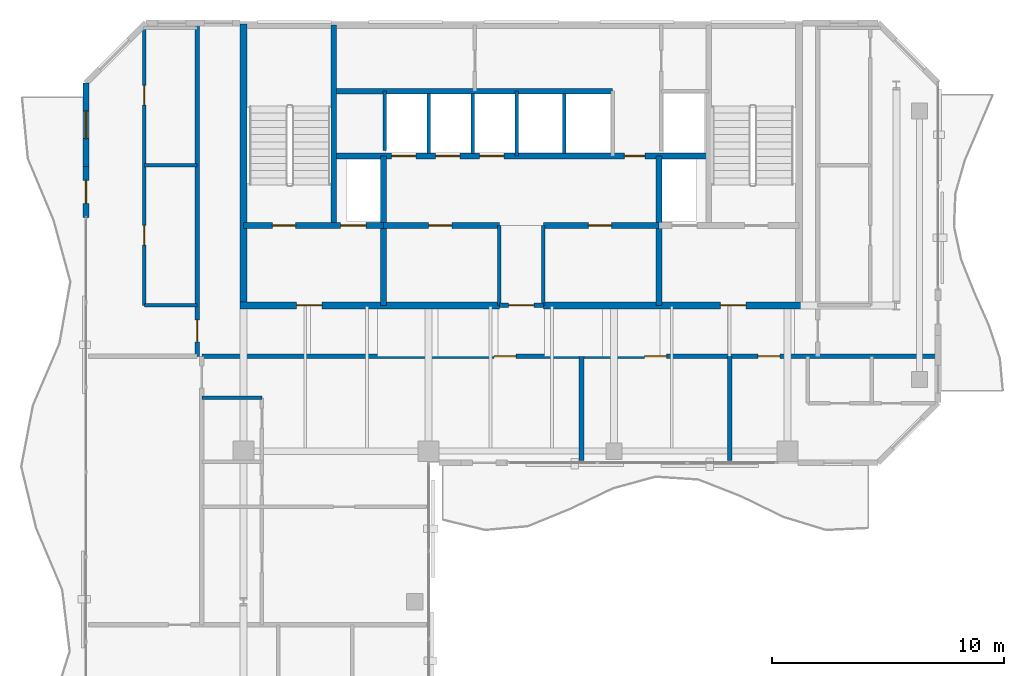
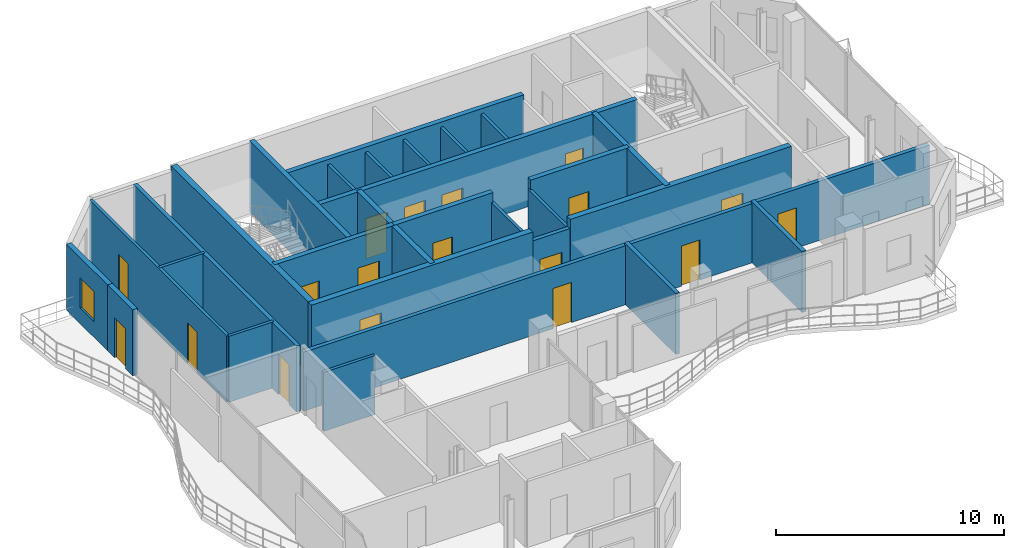
# One storey, part 13 of 17: 29 walls, 18 doors, 1 window, 19 openings.
"""IFC4 building model written with IfcOpenShell, lengths in metres."""

from ifc_helpers import new_model, si_unit, direction, frame, frame_2d, origin, place, context, subcontext, project, spatial, rectangle, extrude, material, layer, layer_set, type_object, element, fill, save


model = new_model("IFC4")

# Units and contexts
model_context = context("Model", 3, precision=1e-05, world=origin(), true_north=direction((0.0, 1.0)))
body_context = subcontext(model_context, "Body", "Model", "MODEL_VIEW")
ifc_project = project(units=[si_unit("LENGTHUNIT", "METRE"), si_unit("AREAUNIT", "SQUARE_METRE"), si_unit("VOLUMEUNIT", "CUBIC_METRE"), si_unit("PLANEANGLEUNIT", "RADIAN"), si_unit("MASSUNIT", "GRAM", prefix="KILO")], contexts=[model_context])

# Site, building, storey
site_placement = place(None, origin())
site = spatial("IfcSite", under=ifc_project, at=site_placement, CompositionType="ELEMENT")
building_placement = place(site_placement, origin())
building = spatial("IfcBuilding", under=site, at=building_placement, Name="Catumbela Crestline Tower", CompositionType="ELEMENT")
storey_placement = place(building_placement, frame((0.0, 0.0, 279.2)))
storey = spatial("IfcBuildingStorey", under=building, at=storey_placement, Name="L72", CompositionType="ELEMENT", Elevation=279.2)

# Walls
ifc_material_1 = material(Name="Concrete C50/60", Category="concrete")
ifc_layer_1 = layer(ifc_material_1, 0.25, Name="Concrete C50/60")
ifc_layer_set_1 = layer_set([ifc_layer_1], Name="Concrete C50/60")
wall_type_1 = type_object("IfcWallType", Name="CW-250D", PredefinedType="SHEAR", material=ifc_layer_set_1)
wall_1_placement = place(storey_placement, frame((19.9, 34.25, 0.0), z_axis=(0.0, 0.0, 1.0), x_axis=(0.0, 1.0, 0.0)))
element("IfcWall", 1, at=wall_1_placement, inside=storey, type_object=wall_type_1, Name="L72 Structural Core Shear Wall WWEB", PredefinedType="SHEAR", context=body_context, shape_type="SweptSolid", body=[
    extrude(rectangle(XDim=8.65, YDim=0.25, at=frame_2d((4.325, 0.0))), origin(), (0.0, 0.0, 1.0), 3.8),
])
for number, where, z_axis, x_axis, name in (
    (2, (22.05, 30.8, 0.0), (0.0, 0.0, 1.0), (0.0, 1.0, 0.0), "L72 Structural Core Shear Wall FFW"),
    (3, (33.95, 30.8, 0.0), (0.0, 0.0, 1.0), (0.0, 1.0, 0.0), "L72 Structural Core Shear Wall FFE"),
):
    element("IfcWall", number, at=place(storey_placement, frame(where, z_axis=z_axis, x_axis=x_axis)), inside=storey, type_object=wall_type_1, Name=name, PredefinedType="SHEAR", context=body_context, shape_type="SweptSolid", body=[
        extrude(rectangle(XDim=6.45, YDim=0.25, at=frame_2d((3.225, 0.0))), origin(), (0.0, 0.0, 1.0), 3.8),
    ])

# Wall, openings, doors
wall_2_placement = place(storey_placement, frame((16.0, 34.25, 0.0), z_axis=(0.0, 0.0, 1.0), x_axis=(1.0, 0.0, 0.0)))
wall_2 = element("IfcWall", 4, at=wall_2_placement, inside=storey, type_object=wall_type_1, Name="L72 Structural Core Shear Wall ST1S", PredefinedType="SHEAR", context=body_context, shape_type="SweptSolid", body=[
    extrude(rectangle(XDim=6.05, YDim=0.25, at=frame_2d((3.025, 0.0))), origin(), (0.0, 0.0, 1.0), 3.8),
])
opening_1_placement = place(wall_2_placement, frame((1.25, 0.0, 0.0)))
opening_1 = element("IfcOpeningElement", 5, at=opening_1_placement, cuts=wall_2, Name="Opening DF9-100", PredefinedType="OPENING", context=body_context, shape_type="SweptSolid", body=[
    extrude(rectangle(XDim=1.0, YDim=2.15, at=frame_2d((0.5, 1.075))), frame((0.0, 0.135, 0.0), z_axis=(0.0, -1.0, 0.0), x_axis=(1.0, 0.0, 0.0)), (0.0, 0.0, 1.0), 0.27),
])
opening_2_placement = place(wall_2_placement, frame((4.2, 0.0, 0.0)))
opening_2 = element("IfcOpeningElement", 6, at=opening_2_placement, cuts=wall_2, Name="Opening LD-110", PredefinedType="OPENING", context=body_context, shape_type="SweptSolid", body=[
    extrude(rectangle(XDim=1.1, YDim=2.15, at=frame_2d((0.55, 1.075))), frame((0.0, 0.135, 0.0), z_axis=(0.0, -1.0, 0.0), x_axis=(1.0, 0.0, 0.0)), (0.0, 0.0, 1.0), 0.27),
])
ifc_material_2 = material(Name="Stainless steel EN 1.4401", Category="steel")
door_type_1 = type_object("IfcDoorType", Name="DF9-100", OperationType="NOTDEFINED", PredefinedType="DOOR", material=ifc_material_2)
door_1_placement = place(opening_1_placement, origin())
door_1 = element("IfcDoor", 7, at=door_1_placement, inside=storey, type_object=door_type_1, Name="L72 Interior Door DR-L72-ST01", OperationType="SINGLE_SWING_LEFT", OverallHeight=2.15, OverallWidth=1.0, PredefinedType="DOOR", context=body_context, shape_type="SweptSolid", body=[
    extrude(rectangle(XDim=1.0, YDim=2.15, at=frame_2d((0.5, 1.075))), frame((0.0, 0.025, 0.0), z_axis=(0.0, -1.0, 0.0), x_axis=(1.0, 0.0, 0.0)), (0.0, 0.0, 1.0), 0.05),
])
fill(opening_1, door_1)
door_type_2 = type_object("IfcDoorType", Name="LD-110", OperationType="NOTDEFINED", PredefinedType="DOOR", material=ifc_material_2)
door_2_placement = place(opening_2_placement, origin())
door_2 = element("IfcDoor", 8, at=door_2_placement, inside=storey, type_object=door_type_2, Name="L72 Lift Landing Sliding Door FL-01", OperationType="DOUBLE_DOOR_SLIDING", OverallHeight=2.15, OverallWidth=1.1, PredefinedType="DOOR", context=body_context, shape_type="SweptSolid", body=[
    extrude(rectangle(XDim=1.1, YDim=2.15, at=frame_2d((0.55, 1.075))), frame((0.0, 0.025, 0.0), z_axis=(0.0, -1.0, 0.0), x_axis=(1.0, 0.0, 0.0)), (0.0, 0.0, 1.0), 0.05),
])
fill(opening_2, door_2)

# Wall, opening, door
wall_3_placement = place(storey_placement, frame((22.05, 34.25, 0.0), z_axis=(0.0, 0.0, 1.0), x_axis=(1.0, 0.0, 0.0)))
wall_3 = element("IfcWall", 9, at=wall_3_placement, inside=storey, type_object=wall_type_1, Name="L72 Structural Core Shear Wall LIFTS-W", PredefinedType="SHEAR", context=body_context, shape_type="SweptSolid", body=[
    extrude(rectangle(XDim=5.0, YDim=0.25, at=frame_2d((2.5, 0.0))), origin(), (0.0, 0.0, 1.0), 3.8),
])
opening_3_placement = place(wall_3_placement, frame((1.95, 0.0, 0.0)))
opening_3 = element("IfcOpeningElement", 10, at=opening_3_placement, cuts=wall_3, Name="Opening DF9-100", PredefinedType="OPENING", context=body_context, shape_type="SweptSolid", body=[
    extrude(rectangle(XDim=1.0, YDim=2.15, at=frame_2d((0.5, 1.075))), frame((0.0, 0.135, 0.0), z_axis=(0.0, -1.0, 0.0), x_axis=(1.0, 0.0, 0.0)), (0.0, 0.0, 1.0), 0.27),
])
door_3_placement = place(opening_3_placement, origin())
door_3 = element("IfcDoor", 11, at=door_3_placement, inside=storey, type_object=door_type_1, Name="L72 Interior Door DR-L72-RECL1", OperationType="SINGLE_SWING_LEFT", OverallHeight=2.15, OverallWidth=1.0, PredefinedType="DOOR", context=body_context, shape_type="SweptSolid", body=[
    extrude(rectangle(XDim=1.0, YDim=2.15, at=frame_2d((0.5, 1.075))), frame((0.0, 0.025, 0.0), z_axis=(0.0, -1.0, 0.0), x_axis=(1.0, 0.0, 0.0)), (0.0, 0.0, 1.0), 0.05),
])
fill(opening_3, door_3)

wall_4_placement = place(storey_placement, frame((28.95, 34.25, 0.0), z_axis=(0.0, 0.0, 1.0), x_axis=(1.0, 0.0, 0.0)))
wall_4 = element("IfcWall", 12, at=wall_4_placement, inside=storey, type_object=wall_type_1, Name="L72 Structural Core Shear Wall LIFTS-E", PredefinedType="SHEAR", context=body_context, shape_type="SweptSolid", body=[
    extrude(rectangle(XDim=5.0, YDim=0.25, at=frame_2d((2.5, 0.0))), origin(), (0.0, 0.0, 1.0), 3.8),
])
opening_4_placement = place(wall_4_placement, frame((1.95, 0.0, 0.0)))
opening_4 = element("IfcOpeningElement", 13, at=opening_4_placement, cuts=wall_4, Name="Opening DF9-100", PredefinedType="OPENING", context=body_context, shape_type="SweptSolid", body=[
    extrude(rectangle(XDim=1.0, YDim=2.15, at=frame_2d((0.5, 1.075))), frame((0.0, 0.135, 0.0), z_axis=(0.0, -1.0, 0.0), x_axis=(1.0, 0.0, 0.0)), (0.0, 0.0, 1.0), 0.27),
])
door_4_placement = place(opening_4_placement, origin())
door_4 = element("IfcDoor", 14, at=door_4_placement, inside=storey, type_object=door_type_1, Name="L72 Interior Door DR-L72-RECL2", OperationType="SINGLE_SWING_RIGHT", OverallHeight=2.15, OverallWidth=1.0, PredefinedType="DOOR", context=body_context, shape_type="SweptSolid", body=[
    extrude(rectangle(XDim=1.0, YDim=2.15, at=frame_2d((0.5, 1.075))), frame((0.0, 0.025, 0.0), z_axis=(0.0, -1.0, 0.0), x_axis=(1.0, 0.0, 0.0)), (0.0, 0.0, 1.0), 0.05),
])
fill(opening_4, door_4)

# Wall, openings, doors
wall_5_placement = place(storey_placement, frame((19.9, 37.25, 0.0), z_axis=(0.0, 0.0, 1.0), x_axis=(1.0, 0.0, 0.0)))
wall_5 = element("IfcWall", 15, at=wall_5_placement, inside=storey, type_object=wall_type_1, Name="L72 Structural Core Shear Wall LIFTN", PredefinedType="SHEAR", context=body_context, shape_type="SweptSolid", body=[
    extrude(rectangle(XDim=16.2, YDim=0.25, at=frame_2d((8.1, 0.0))), origin(), (0.0, 0.0, 1.0), 3.8),
])
opening_5_placement = place(wall_5_placement, frame((12.55, 0.0, 0.0)))
opening_5 = element("IfcOpeningElement", 16, at=opening_5_placement, cuts=wall_5, Name="Opening DF9-090", PredefinedType="OPENING", context=body_context, shape_type="SweptSolid", body=[
    extrude(rectangle(XDim=0.9, YDim=2.15, at=frame_2d((0.45, 1.075))), frame((0.0, 0.135, 0.0), z_axis=(0.0, -1.0, 0.0), x_axis=(1.0, 0.0, 0.0)), (0.0, 0.0, 1.0), 0.27),
])
opening_6_placement = place(wall_5_placement, frame((2.5, 0.0, 0.0)))
opening_6 = element("IfcOpeningElement", 17, at=opening_6_placement, cuts=wall_5, Name="Opening LD-105", PredefinedType="OPENING", context=body_context, shape_type="SweptSolid", body=[
    extrude(rectangle(XDim=1.05, YDim=2.15, at=frame_2d((0.525, 1.075))), frame((0.0, 0.135, 0.0), z_axis=(0.0, -1.0, 0.0), x_axis=(1.0, 0.0, 0.0)), (0.0, 0.0, 1.0), 0.27),
])
opening_7_placement = place(wall_5_placement, frame((4.4, 0.0, 0.0)))
opening_7 = element("IfcOpeningElement", 18, at=opening_7_placement, cuts=wall_5, Name="Opening LD-105", PredefinedType="OPENING", context=body_context, shape_type="SweptSolid", body=[
    extrude(rectangle(XDim=1.05, YDim=2.15, at=frame_2d((0.525, 1.075))), frame((0.0, 0.135, 0.0), z_axis=(0.0, -1.0, 0.0), x_axis=(1.0, 0.0, 0.0)), (0.0, 0.0, 1.0), 0.27),
])
opening_8_placement = place(wall_5_placement, frame((6.3, 0.0, 0.0)))
opening_8 = element("IfcOpeningElement", 19, at=opening_8_placement, cuts=wall_5, Name="Opening LD-105", PredefinedType="OPENING", context=body_context, shape_type="SweptSolid", body=[
    extrude(rectangle(XDim=1.05, YDim=2.15, at=frame_2d((0.525, 1.075))), frame((0.0, 0.135, 0.0), z_axis=(0.0, -1.0, 0.0), x_axis=(1.0, 0.0, 0.0)), (0.0, 0.0, 1.0), 0.27),
])
door_type_3 = type_object("IfcDoorType", Name="DF9-090", OperationType="NOTDEFINED", PredefinedType="DOOR", material=ifc_material_2)
door_5_placement = place(opening_5_placement, origin())
door_5 = element("IfcDoor", 20, at=door_5_placement, inside=storey, type_object=door_type_3, Name="L72 Interior Door DR-L72-CPAS1", OperationType="SINGLE_SWING_LEFT", OverallHeight=2.15, OverallWidth=0.9, PredefinedType="DOOR", context=body_context, shape_type="SweptSolid", body=[
    extrude(rectangle(XDim=0.9, YDim=2.15, at=frame_2d((0.45, 1.075))), frame((0.0, 0.025, 0.0), z_axis=(0.0, -1.0, 0.0), x_axis=(1.0, 0.0, 0.0)), (0.0, 0.0, 1.0), 0.05),
])
fill(opening_5, door_5)
door_type_4 = type_object("IfcDoorType", Name="LD-105", OperationType="NOTDEFINED", PredefinedType="DOOR", material=ifc_material_2)
door_6_placement = place(opening_6_placement, origin())
door_6 = element("IfcDoor", 21, at=door_6_placement, inside=storey, type_object=door_type_4, Name="L72 Lift Landing Sliding Door PL-H1", OperationType="DOUBLE_DOOR_SLIDING", OverallHeight=2.15, OverallWidth=1.05, PredefinedType="DOOR", context=body_context, shape_type="SweptSolid", body=[
    extrude(rectangle(XDim=1.05, YDim=2.15, at=frame_2d((0.525, 1.075))), frame((0.0, 0.025, 0.0), z_axis=(0.0, -1.0, 0.0), x_axis=(1.0, 0.0, 0.0)), (0.0, 0.0, 1.0), 0.05),
])
fill(opening_6, door_6)
door_7_placement = place(opening_7_placement, origin())
door_7 = element("IfcDoor", 22, at=door_7_placement, inside=storey, type_object=door_type_4, Name="L72 Lift Landing Sliding Door PL-H2", OperationType="DOUBLE_DOOR_SLIDING", OverallHeight=2.15, OverallWidth=1.05, PredefinedType="DOOR", context=body_context, shape_type="SweptSolid", body=[
    extrude(rectangle(XDim=1.05, YDim=2.15, at=frame_2d((0.525, 1.075))), frame((0.0, 0.025, 0.0), z_axis=(0.0, -1.0, 0.0), x_axis=(1.0, 0.0, 0.0)), (0.0, 0.0, 1.0), 0.05),
])
fill(opening_7, door_7)
door_8_placement = place(opening_8_placement, origin())
door_8 = element("IfcDoor", 23, at=door_8_placement, inside=storey, type_object=door_type_4, Name="L72 Lift Landing Sliding Door PL-H3", OperationType="DOUBLE_DOOR_SLIDING", OverallHeight=2.15, OverallWidth=1.05, PredefinedType="DOOR", context=body_context, shape_type="SweptSolid", body=[
    extrude(rectangle(XDim=1.05, YDim=2.15, at=frame_2d((0.525, 1.075))), frame((0.0, 0.025, 0.0), z_axis=(0.0, -1.0, 0.0), x_axis=(1.0, 0.0, 0.0)), (0.0, 0.0, 1.0), 0.05),
])
fill(opening_8, door_8)

# Walls
wall_6_placement = place(storey_placement, frame((19.9, 40.05, 0.0), z_axis=(0.0, 0.0, 1.0), x_axis=(1.0, 0.0, 0.0)))
element("IfcWall", 24, at=wall_6_placement, inside=storey, type_object=wall_type_1, Name="L72 Structural Core Shear Wall COREN", PredefinedType="SHEAR", context=body_context, shape_type="SweptSolid", body=[
    extrude(rectangle(XDim=12.05, YDim=0.25, at=frame_2d((6.025, 0.0))), origin(), (0.0, 0.0, 1.0), 3.8),
])
ifc_material_3 = material(Name="Concrete C45/55", Category="concrete")
ifc_layer_2 = layer(ifc_material_3, 0.3, Name="Concrete C45/55")
ifc_layer_set_2 = layer_set([ifc_layer_2], Name="Concrete C45/55")
wall_type_2 = type_object("IfcWallType", Name="CW-300C", PredefinedType="SHEAR", material=ifc_layer_set_2)
wall_7_placement = place(storey_placement, frame((16.0, 30.65, 0.0), z_axis=(0.0, 0.0, 1.0), x_axis=(0.0, 1.0, 0.0)))
element("IfcWall", 25, at=wall_7_placement, inside=storey, type_object=wall_type_2, Name="L72 Structural Core Shear Wall W", PredefinedType="SHEAR", context=body_context, shape_type="SweptSolid", body=[
    extrude(rectangle(XDim=12.3, YDim=0.3, at=frame_2d((6.15, 0.0))), origin(), (0.0, 0.0, 1.0), 3.8),
])

# Wall, opening, door
wall_8_placement = place(storey_placement, frame((15.85, 30.8, 0.0), z_axis=(0.0, 0.0, 1.0), x_axis=(1.0, 0.0, 0.0)))
wall_8 = element("IfcWall", 26, at=wall_8_placement, inside=storey, type_object=wall_type_2, Name="L72 Structural Core Shear Wall SW", PredefinedType="SHEAR", context=body_context, shape_type="SweptSolid", body=[
    extrude(rectangle(XDim=11.2, YDim=0.3, at=frame_2d((5.6, 0.0))), origin(), (0.0, 0.0, 1.0), 3.8),
])
opening_9_placement = place(wall_8_placement, frame((2.45, 0.0, 0.0)))
opening_9 = element("IfcOpeningElement", 27, at=opening_9_placement, cuts=wall_8, Name="Opening DF9-110", PredefinedType="OPENING", context=body_context, shape_type="SweptSolid", body=[
    extrude(rectangle(XDim=1.1, YDim=2.15, at=frame_2d((0.55, 1.075))), frame((0.0, 0.16, 0.0), z_axis=(0.0, -1.0, 0.0), x_axis=(1.0, 0.0, 0.0)), (0.0, 0.0, 1.0), 0.32),
])
door_type_5 = type_object("IfcDoorType", Name="DF9-110", OperationType="NOTDEFINED", PredefinedType="DOOR", material=ifc_material_2)
door_9_placement = place(opening_9_placement, origin())
door_9 = element("IfcDoor", 28, at=door_9_placement, inside=storey, type_object=door_type_5, Name="L72 Interior Door DR-L72-FFW-S", OperationType="SINGLE_SWING_LEFT", OverallHeight=2.15, OverallWidth=1.1, PredefinedType="DOOR", context=body_context, shape_type="SweptSolid", body=[
    extrude(rectangle(XDim=1.1, YDim=2.15, at=frame_2d((0.55, 1.075))), frame((0.0, 0.025, 0.0), z_axis=(0.0, -1.0, 0.0), x_axis=(1.0, 0.0, 0.0)), (0.0, 0.0, 1.0), 0.05),
])
fill(opening_9, door_9)

wall_9_placement = place(storey_placement, frame((28.95, 30.8, 0.0), z_axis=(0.0, 0.0, 1.0), x_axis=(1.0, 0.0, 0.0)))
wall_9 = element("IfcWall", 29, at=wall_9_placement, inside=storey, type_object=wall_type_2, Name="L72 Structural Core Shear Wall SE", PredefinedType="SHEAR", context=body_context, shape_type="SweptSolid", body=[
    extrude(rectangle(XDim=11.2, YDim=0.3, at=frame_2d((5.6, 0.0))), origin(), (0.0, 0.0, 1.0), 3.8),
])
opening_10_placement = place(wall_9_placement, frame((7.65, 0.0, 0.0)))
opening_10 = element("IfcOpeningElement", 30, at=opening_10_placement, cuts=wall_9, Name="Opening DF9-110", PredefinedType="OPENING", context=body_context, shape_type="SweptSolid", body=[
    extrude(rectangle(XDim=1.1, YDim=2.15, at=frame_2d((0.55, 1.075))), frame((0.0, 0.16, 0.0), z_axis=(0.0, -1.0, 0.0), x_axis=(1.0, 0.0, 0.0)), (0.0, 0.0, 1.0), 0.32),
])
door_10_placement = place(opening_10_placement, origin())
door_10 = element("IfcDoor", 31, at=door_10_placement, inside=storey, type_object=door_type_5, Name="L72 Interior Door DR-L72-FFE-S", OperationType="SINGLE_SWING_RIGHT", OverallHeight=2.15, OverallWidth=1.1, PredefinedType="DOOR", context=body_context, shape_type="SweptSolid", body=[
    extrude(rectangle(XDim=1.1, YDim=2.15, at=frame_2d((0.55, 1.075))), frame((0.0, 0.025, 0.0), z_axis=(0.0, -1.0, 0.0), x_axis=(1.0, 0.0, 0.0)), (0.0, 0.0, 1.0), 0.05),
])
fill(opening_10, door_10)

ifc_material_4 = material(Name="Acoustic gypsum and mineral-wool partition")
ifc_layer_3 = layer(ifc_material_4, 0.2, Name="Acoustic gypsum and mineral-wool partition")
ifc_layer_set_3 = layer_set([ifc_layer_3], Name="Acoustic gypsum and mineral-wool partition")
wall_type_3 = type_object("IfcWallType", Name="WC-200", PredefinedType="PARTITIONING", material=ifc_layer_set_3)
wall_10_placement = place(storey_placement, frame((27.05, 30.8, 0.0), z_axis=(0.0, 0.0, 1.0), x_axis=(1.0, 0.0, 0.0)))
wall_10 = element("IfcWall", 32, at=wall_10_placement, inside=storey, type_object=wall_type_3, Name="L72 Interior Partition PW-L72-CLOBS", PredefinedType="PARTITIONING", context=body_context, shape_type="SweptSolid", body=[
    extrude(rectangle(XDim=1.9, YDim=0.2, at=frame_2d((0.95, 0.0))), origin(), (0.0, 0.0, 1.0), 3.28),
])
opening_11_placement = place(wall_10_placement, frame((0.4, 0.0, 0.0)))
opening_11 = element("IfcOpeningElement", 33, at=opening_11_placement, cuts=wall_10, Name="Opening DF9-110", PredefinedType="OPENING", context=body_context, shape_type="SweptSolid", body=[
    extrude(rectangle(XDim=1.1, YDim=2.15, at=frame_2d((0.55, 1.075))), frame((0.0, 0.11, 0.0), z_axis=(0.0, -1.0, 0.0), x_axis=(1.0, 0.0, 0.0)), (0.0, 0.0, 1.0), 0.22),
])
door_11_placement = place(opening_11_placement, origin())
door_11 = element("IfcDoor", 34, at=door_11_placement, inside=storey, type_object=door_type_5, Name="L72 Interior Door DR-L72-CLOBS", OperationType="SINGLE_SWING_LEFT", OverallHeight=2.15, OverallWidth=1.1, PredefinedType="DOOR", context=body_context, shape_type="SweptSolid", body=[
    extrude(rectangle(XDim=1.1, YDim=2.15, at=frame_2d((0.55, 1.075))), frame((0.0, 0.025, 0.0), z_axis=(0.0, -1.0, 0.0), x_axis=(1.0, 0.0, 0.0)), (0.0, 0.0, 1.0), 0.05),
])
fill(opening_11, door_11)

# Wall, openings, doors
wall_11_placement = place(storey_placement, frame((14.2, 28.6, 0.0), z_axis=(0.0, 0.0, 1.0), x_axis=(1.0, 0.0, 0.0)))
wall_11 = element("IfcWall", 35, at=wall_11_placement, inside=storey, type_object=wall_type_3, Name="L72 Interior Partition PW-L72-RCWR", PredefinedType="PARTITIONING", context=body_context, shape_type="SweptSolid", body=[
    extrude(rectangle(XDim=31.7, YDim=0.2, at=frame_2d((15.85, 0.0))), origin(), (0.0, 0.0, 1.0), 3.16),
])
opening_12_placement = place(wall_11_placement, frame((12.625, 0.0, 0.0)))
opening_12 = element("IfcOpeningElement", 36, at=opening_12_placement, cuts=wall_11, Name="Opening DF6-095", PredefinedType="OPENING", context=body_context, shape_type="SweptSolid", body=[
    extrude(rectangle(XDim=0.95, YDim=2.15, at=frame_2d((0.475, 1.075))), frame((0.0, 0.11, 0.0), z_axis=(0.0, -1.0, 0.0), x_axis=(1.0, 0.0, 0.0)), (0.0, 0.0, 1.0), 0.22),
])
opening_13_placement = place(wall_11_placement, frame((19.125, 0.0, 0.0)))
opening_13 = element("IfcOpeningElement", 37, at=opening_13_placement, cuts=wall_11, Name="Opening DF6-095", PredefinedType="OPENING", context=body_context, shape_type="SweptSolid", body=[
    extrude(rectangle(XDim=0.95, YDim=2.15, at=frame_2d((0.475, 1.075))), frame((0.0, 0.11, 0.0), z_axis=(0.0, -1.0, 0.0), x_axis=(1.0, 0.0, 0.0)), (0.0, 0.0, 1.0), 0.22),
])
opening_14_placement = place(wall_11_placement, frame((24.016, 0.0, 0.0)))
opening_14 = element("IfcOpeningElement", 38, at=opening_14_placement, cuts=wall_11, Name="Opening DF6-095", PredefinedType="OPENING", context=body_context, shape_type="SweptSolid", body=[
    extrude(rectangle(XDim=0.95, YDim=2.15, at=frame_2d((0.475, 1.075))), frame((0.0, 0.11, 0.0), z_axis=(0.0, -1.0, 0.0), x_axis=(1.0, 0.0, 0.0)), (0.0, 0.0, 1.0), 0.22),
])
ifc_material_5 = material(Name="Aluminium alloy AW-6060-T66", Category="aluminium")
door_type_6 = type_object("IfcDoorType", Name="DF6-095", OperationType="NOTDEFINED", PredefinedType="DOOR", material=ifc_material_5)
door_12_placement = place(opening_12_placement, origin())
door_12 = element("IfcDoor", 39, at=door_12_placement, inside=storey, type_object=door_type_6, Name="L72 Interior Door DR-L72-Z4G51-ENT", OperationType="SINGLE_SWING_RIGHT", OverallHeight=2.15, OverallWidth=0.95, PredefinedType="DOOR", context=body_context, shape_type="SweptSolid", body=[
    extrude(rectangle(XDim=0.95, YDim=2.15, at=frame_2d((0.475, 1.075))), frame((0.0, 0.025, 0.0), z_axis=(0.0, -1.0, 0.0), x_axis=(1.0, 0.0, 0.0)), (0.0, 0.0, 1.0), 0.05),
])
fill(opening_12, door_12)
door_13_placement = place(opening_13_placement, origin())
door_13 = element("IfcDoor", 40, at=door_13_placement, inside=storey, type_object=door_type_6, Name="L72 Interior Door DR-L72-Z4G52-ENT", OperationType="SINGLE_SWING_LEFT", OverallHeight=2.15, OverallWidth=0.95, PredefinedType="DOOR", context=body_context, shape_type="SweptSolid", body=[
    extrude(rectangle(XDim=0.95, YDim=2.15, at=frame_2d((0.475, 1.075))), frame((0.0, 0.025, 0.0), z_axis=(0.0, -1.0, 0.0), x_axis=(1.0, 0.0, 0.0)), (0.0, 0.0, 1.0), 0.05),
])
fill(opening_13, door_13)
door_14_placement = place(opening_14_placement, origin())
door_14 = element("IfcDoor", 41, at=door_14_placement, inside=storey, type_object=door_type_6, Name="L72 Interior Door DR-L72-S3-ENT", OperationType="SINGLE_SWING_LEFT", OverallHeight=2.15, OverallWidth=0.95, PredefinedType="DOOR", context=body_context, shape_type="SweptSolid", body=[
    extrude(rectangle(XDim=0.95, YDim=2.15, at=frame_2d((0.475, 1.075))), frame((0.0, 0.025, 0.0), z_axis=(0.0, -1.0, 0.0), x_axis=(1.0, 0.0, 0.0)), (0.0, 0.0, 1.0), 0.05),
])
fill(opening_14, door_14)

# Wall, opening, door
wall_12_placement = place(storey_placement, frame((14.0, 28.6, 0.0), z_axis=(0.0, 0.0, 1.0), x_axis=(0.0, 1.0, 0.0)))
wall_12 = element("IfcWall", 42, at=wall_12_placement, inside=storey, type_object=wall_type_3, Name="L72 Interior Partition PW-L72-NW1-ENT", PredefinedType="PARTITIONING", context=body_context, shape_type="SweptSolid", body=[
    extrude(rectangle(XDim=14.3, YDim=0.2, at=frame_2d((7.15, 0.0))), origin(), (0.0, 0.0, 1.0), 3.53),
])
opening_15_placement = place(wall_12_placement, frame((0.625, 0.0, 0.0)))
opening_15 = element("IfcOpeningElement", 43, at=opening_15_placement, cuts=wall_12, Name="Opening DF6-095", PredefinedType="OPENING", context=body_context, shape_type="SweptSolid", body=[
    extrude(rectangle(XDim=0.95, YDim=2.15, at=frame_2d((0.475, 1.075))), frame((0.0, 0.11, 0.0), z_axis=(0.0, -1.0, 0.0), x_axis=(1.0, 0.0, 0.0)), (0.0, 0.0, 1.0), 0.22),
])
door_15_placement = place(opening_15_placement, origin())
door_15 = element("IfcDoor", 44, at=door_15_placement, inside=storey, type_object=door_type_6, Name="L72 Interior Door DR-L72-NW1-ENT", OperationType="SINGLE_SWING_LEFT", OverallHeight=2.15, OverallWidth=0.95, PredefinedType="DOOR", context=body_context, shape_type="SweptSolid", body=[
    extrude(rectangle(XDim=0.95, YDim=2.15, at=frame_2d((0.475, 1.075))), frame((0.0, 0.025, 0.0), z_axis=(0.0, -1.0, 0.0), x_axis=(1.0, 0.0, 0.0)), (0.0, 0.0, 1.0), 0.05),
])
fill(opening_15, door_15)

ifc_material_6 = material(Name="Angolan grey-ochre granite", Category="masonry")
ifc_layer_4 = layer(ifc_material_6, 0.25, Name="Angolan grey-ochre granite")
ifc_layer_set_4 = layer_set([ifc_layer_4], Name="Angolan grey-ochre granite")
wall_type_4 = type_object("IfcWallType", Name="WE-250", PredefinedType="STANDARD", material=ifc_layer_set_4)
wall_13_placement = place(storey_placement, frame((9.2, 36.8, 0.0), z_axis=(0.0, 0.0, 1.0), x_axis=(0.0, -1.0, 0.0)))
wall_13 = element("IfcWall", 45, at=wall_13_placement, inside=storey, type_object=wall_type_4, Name="L72 Exterior Threshold Portal Wall DR-L72-WBAL-4", PredefinedType="STANDARD", context=body_context, shape_type="SweptSolid", body=[
    extrude(rectangle(XDim=2.2, YDim=0.25, at=frame_2d((1.1, 0.0))), origin(), (0.0, 0.0, 1.0), 3.53),
])
opening_16_placement = place(wall_13_placement, frame((0.6, 0.0, 0.0)))
opening_16 = element("IfcOpeningElement", 46, at=opening_16_placement, cuts=wall_13, Name="Opening DB-L72-4", PredefinedType="OPENING", context=body_context, shape_type="SweptSolid", body=[
    extrude(rectangle(XDim=1.0, YDim=2.15, at=frame_2d((0.5, 1.075))), frame((0.0, 0.135, 0.0), z_axis=(0.0, -1.0, 0.0), x_axis=(1.0, 0.0, 0.0)), (0.0, 0.0, 1.0), 0.27),
])
door_type_7 = type_object("IfcDoorType", Name="DB-1000", OperationType="NOTDEFINED", PredefinedType="DOOR", material=ifc_material_5)
door_16_placement = place(opening_16_placement, origin())
door_16 = element("IfcDoor", 47, at=door_16_placement, inside=storey, type_object=door_type_7, Name="L72 Wave Balcony Terrace Door 4", OperationType="SINGLE_SWING_LEFT", OverallHeight=2.15, OverallWidth=1.0, PredefinedType="DOOR", context=body_context, shape_type="SweptSolid", body=[
    extrude(rectangle(XDim=1.0, YDim=2.15, at=frame_2d((0.5, 1.075))), frame((0.0, 0.025, 0.0), z_axis=(0.0, -1.0, 0.0), x_axis=(1.0, 0.0, 0.0)), (0.0, 0.0, 1.0), 0.05),
])
fill(opening_16, door_16)

# Wall, opening, window
wall_14_placement = place(storey_placement, frame((9.2, 40.4, 0.0), z_axis=(0.0, 0.0, 1.0), x_axis=(0.0, -1.0, 0.0)))
wall_14 = element("IfcWall", 48, at=wall_14_placement, inside=storey, type_object=wall_type_4, Name="L72 Granite Punched Window Wall 9-1", PredefinedType="STANDARD", context=body_context, shape_type="SweptSolid", body=[
    extrude(rectangle(XDim=3.6, YDim=0.25, at=frame_2d((1.8, 0.0))), origin(), (0.0, 0.0, 1.0), 3.53),
])
opening_17_placement = place(wall_14_placement, frame((1.2, 0.0, 0.85)))
opening_17 = element("IfcOpeningElement", 49, at=opening_17_placement, cuts=wall_14, Name="Opening WN-02", PredefinedType="OPENING", context=body_context, shape_type="SweptSolid", body=[
    extrude(rectangle(XDim=1.2, YDim=1.6, at=frame_2d((0.6, 0.8))), frame((0.0, 0.135, 0.0), z_axis=(0.0, -1.0, 0.0), x_axis=(1.0, 0.0, 0.0)), (0.0, 0.0, 1.0), 0.27),
])
ifc_material_7 = material(Name="Low-E laminated solar-control double glazing", Category="glass")
window_type = type_object("IfcWindowType", Name="WO-1200", PartitioningType="SINGLE_PANEL", PredefinedType="WINDOW", material=ifc_material_7)
window_placement = place(opening_17_placement, origin())
window = element("IfcWindow", 50, at=window_placement, inside=storey, type_object=window_type, Name="L72 Facade Vision Window 586", OverallHeight=1.6, OverallWidth=1.2, PartitioningType="SINGLE_PANEL", PredefinedType="WINDOW", context=body_context, shape_type="SweptSolid", body=[
    extrude(rectangle(XDim=1.2, YDim=1.6, at=frame_2d((0.6, 0.8))), frame((0.0, 0.03, 0.0), z_axis=(0.0, -1.0, 0.0), x_axis=(1.0, 0.0, 0.0)), (0.0, 0.0, 1.0), 0.06),
])
fill(opening_17, window)

# Walls
ifc_layer_5 = layer(ifc_material_4, 0.15, Name="Acoustic gypsum and mineral-wool partition")
ifc_layer_set_5 = layer_set([ifc_layer_5], Name="Acoustic gypsum and mineral-wool partition")
wall_type_5 = type_object("IfcWallType", Name="WP-150", PredefinedType="PARTITIONING", material=ifc_layer_set_5)
for number, where, z_axis, x_axis, name in (
    (51, (11.72, 30.8, 0.0), (0.0, 0.0, 1.0), (1.0, 0.0, 0.0), "L72 Interior Partition PW-L72-NW1-KBS"),
    (52, (11.72, 36.85, 0.0), (0.0, 0.0, 1.0), (1.0, 0.0, 0.0), "L72 Interior Partition PW-L72-NW1-KBM"),
):
    element("IfcWall", number, at=place(storey_placement, frame(where, z_axis=z_axis, x_axis=x_axis)), inside=storey, type_object=wall_type_5, Name=name, PredefinedType="PARTITIONING", context=body_context, shape_type="SweptSolid", body=[
        extrude(rectangle(XDim=2.28, YDim=0.15, at=frame_2d((1.14, 0.0))), origin(), (0.0, 0.0, 1.0), 3.53),
    ])

# Wall, openings, doors
wall_15_placement = place(storey_placement, frame((11.72, 30.8, 0.0), z_axis=(0.0, 0.0, 1.0), x_axis=(0.0, 1.0, 0.0)))
wall_15 = element("IfcWall", 53, at=wall_15_placement, inside=storey, type_object=wall_type_5, Name="L72 Interior Partition PW-L72-NW1-SK1", PredefinedType="PARTITIONING", context=body_context, shape_type="SweptSolid", body=[
    extrude(rectangle(XDim=12.02, YDim=0.15, at=frame_2d((6.01, 0.0))), origin(), (0.0, 0.0, 1.0), 3.53),
])
opening_18_placement = place(wall_15_placement, frame((2.6, 0.0, 0.0)))
opening_18 = element("IfcOpeningElement", 54, at=opening_18_placement, cuts=wall_15, Name="Opening DI-085", PredefinedType="OPENING", context=body_context, shape_type="SweptSolid", body=[
    extrude(rectangle(XDim=0.85, YDim=2.15, at=frame_2d((0.425, 1.075))), frame((0.0, 0.085, 0.0), z_axis=(0.0, -1.0, 0.0), x_axis=(1.0, 0.0, 0.0)), (0.0, 0.0, 1.0), 0.17),
])
opening_19_placement = place(wall_15_placement, frame((8.65, 0.0, 0.0)))
opening_19 = element("IfcOpeningElement", 55, at=opening_19_placement, cuts=wall_15, Name="Opening DI-085", PredefinedType="OPENING", context=body_context, shape_type="SweptSolid", body=[
    extrude(rectangle(XDim=0.85, YDim=2.15, at=frame_2d((0.425, 1.075))), frame((0.0, 0.085, 0.0), z_axis=(0.0, -1.0, 0.0), x_axis=(1.0, 0.0, 0.0)), (0.0, 0.0, 1.0), 0.17),
])
door_type_8 = type_object("IfcDoorType", Name="DI-085", OperationType="NOTDEFINED", PredefinedType="DOOR", material=ifc_material_5)
door_17_placement = place(opening_18_placement, origin())
door_17 = element("IfcDoor", 56, at=door_17_placement, inside=storey, type_object=door_type_8, Name="L72 Interior Door DR-L72-NW1-KIT", OperationType="SINGLE_SWING_LEFT", OverallHeight=2.15, OverallWidth=0.85, PredefinedType="DOOR", context=body_context, shape_type="SweptSolid", body=[
    extrude(rectangle(XDim=0.85, YDim=2.15, at=frame_2d((0.425, 1.075))), frame((0.0, 0.025, 0.0), z_axis=(0.0, -1.0, 0.0), x_axis=(1.0, 0.0, 0.0)), (0.0, 0.0, 1.0), 0.05),
])
fill(opening_18, door_17)
door_18_placement = place(opening_19_placement, origin())
door_18 = element("IfcDoor", 57, at=door_18_placement, inside=storey, type_object=door_type_8, Name="L72 Interior Door DR-L72-NW1-BTH", OperationType="SINGLE_SWING_RIGHT", OverallHeight=2.15, OverallWidth=0.85, PredefinedType="DOOR", context=body_context, shape_type="SweptSolid", body=[
    extrude(rectangle(XDim=0.85, YDim=2.15, at=frame_2d((0.425, 1.075))), frame((0.0, 0.025, 0.0), z_axis=(0.0, -1.0, 0.0), x_axis=(1.0, 0.0, 0.0)), (0.0, 0.0, 1.0), 0.05),
])
fill(opening_19, door_18)

# Walls
wall_16_placement = place(storey_placement, frame((14.2, 26.8, 0.0), z_axis=(0.0, 0.0, 1.0), x_axis=(1.0, 0.0, 0.0)))
element("IfcWall", 58, at=wall_16_placement, inside=storey, type_object=wall_type_5, Name="L72 Interior Partition PW-L72-WR1-KBN", PredefinedType="PARTITIONING", context=body_context, shape_type="SweptSolid", body=[
    extrude(rectangle(XDim=2.6, YDim=0.15, at=frame_2d((1.3, 0.0))), origin(), (0.0, 0.0, 1.0), 3.16),
])
ifc_layer_6 = layer(ifc_material_4, 0.2, Name="Acoustic gypsum and mineral-wool partition")
ifc_layer_set_6 = layer_set([ifc_layer_6], Name="Acoustic gypsum and mineral-wool partition")
wall_type_6 = type_object("IfcWallType", Name="WY-200", PredefinedType="PARTITIONING", material=ifc_layer_set_6)
for number, where, z_axis, x_axis, name in (
    (59, (30.6, 24.1, 0.0), (0.0, 0.0, 1.0), (0.0, 1.0, 0.0), "L72 Interior Partition PW-L72-RSPP-2"),
    (60, (37.0, 24.1, 0.0), (0.0, 0.0, 1.0), (0.0, 1.0, 0.0), "L72 Interior Partition PW-L72-RSPP-3"),
):
    element("IfcWall", number, at=place(storey_placement, frame(where, z_axis=z_axis, x_axis=x_axis)), inside=storey, type_object=wall_type_6, Name=name, PredefinedType="PARTITIONING", context=body_context, shape_type="SweptSolid", body=[
        extrude(rectangle(XDim=4.5, YDim=0.2, at=frame_2d((2.25, 0.0))), origin(), (0.0, 0.0, 1.0), 3.27),
    ])
ifc_layer_7 = layer(ifc_material_4, 0.15, Name="Acoustic gypsum and mineral-wool partition")
ifc_layer_set_7 = layer_set([ifc_layer_7], Name="Acoustic gypsum and mineral-wool partition")
wall_type_7 = type_object("IfcWallType", Name="WS-150", PredefinedType="PLUMBINGWALL", material=ifc_layer_set_7)
for number, where, z_axis, x_axis, name in (
    (61, (27.05, 30.8, 0.0), (0.0, 0.0, 1.0), (0.0, 1.0, 0.0), "L72 Interior Partition PW-L72-THRW"),
    (62, (28.95, 30.8, 0.0), (0.0, 0.0, 1.0), (0.0, 1.0, 0.0), "L72 Interior Partition PW-L72-THRE"),
):
    element("IfcWall", number, at=place(storey_placement, frame(where, z_axis=z_axis, x_axis=x_axis)), inside=storey, type_object=wall_type_7, Name=name, PredefinedType="PLUMBINGWALL", context=body_context, shape_type="SweptSolid", body=[
        extrude(rectangle(XDim=3.45, YDim=0.15, at=frame_2d((1.725, 0.0))), origin(), (0.0, 0.0, 1.0), 3.28),
    ])
wall_17_placement = place(storey_placement, frame((22.1, 37.4897, 0.0), z_axis=(0.0, 0.0, 1.0), x_axis=(0.0, 1.0, 0.0)))
element("IfcWall", 63, at=wall_17_placement, inside=storey, type_object=wall_type_7, Name="L72 Interior Partition PW-L72-SHH0", PredefinedType="PLUMBINGWALL", context=body_context, shape_type="SweptSolid", body=[
    extrude(rectangle(XDim=2.5603, YDim=0.15, at=frame_2d((1.2801, 0.0))), origin(), (0.0, 0.0, 1.0), 3.53),
])
wall_18_placement = place(storey_placement, frame((27.8, 37.25, 0.0), z_axis=(0.0, 0.0, 1.0), x_axis=(0.0, 1.0, 0.0)))
element("IfcWall", 64, at=wall_18_placement, inside=storey, type_object=wall_type_7, Name="L72 Interior Partition PW-L72-SHH3", PredefinedType="PLUMBINGWALL", context=body_context, shape_type="SweptSolid", body=[
    extrude(rectangle(XDim=2.8, YDim=0.15, at=frame_2d((1.4, 0.0))), origin(), (0.0, 0.0, 1.0), 3.53),
])
for number, where, z_axis, x_axis, name in (
    (65, (24.0, 37.35, 0.0), (0.0, 0.0, 1.0), (0.0, 1.0, 0.0), "L72 Interior Partition PW-L72-SHH1"),
    (66, (25.9, 37.35, 0.0), (0.0, 0.0, 1.0), (0.0, 1.0, 0.0), "L72 Interior Partition PW-L72-SHH2"),
    (67, (29.85, 37.35, 0.0), (0.0, 0.0, 1.0), (0.0, 1.0, 0.0), "L72 Interior Partition PW-L72-SHEX1"),
):
    element("IfcWall", number, at=place(storey_placement, frame(where, z_axis=z_axis, x_axis=x_axis)), inside=storey, type_object=wall_type_7, Name=name, PredefinedType="PLUMBINGWALL", context=body_context, shape_type="SweptSolid", body=[
        extrude(rectangle(XDim=2.6, YDim=0.15, at=frame_2d((1.3, 0.0))), origin(), (0.0, 0.0, 1.0), 3.53),
    ])

save(model, "model.ifc")
